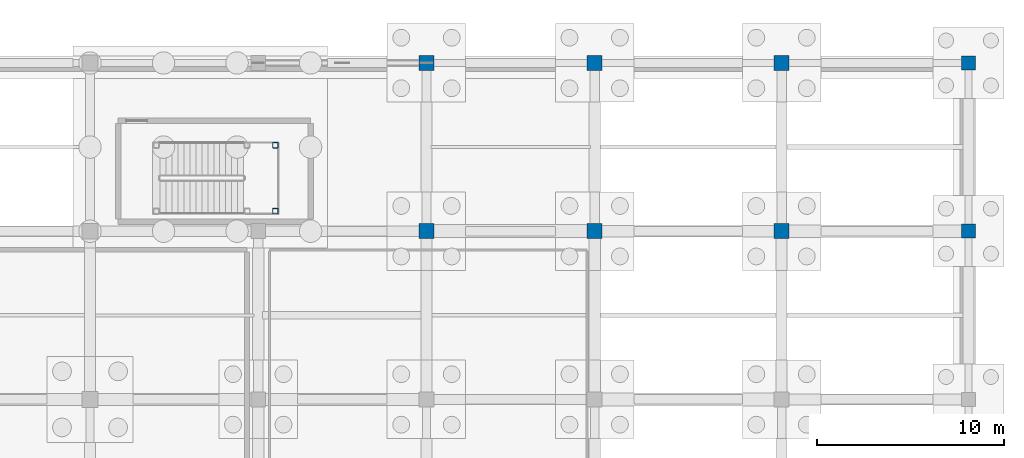
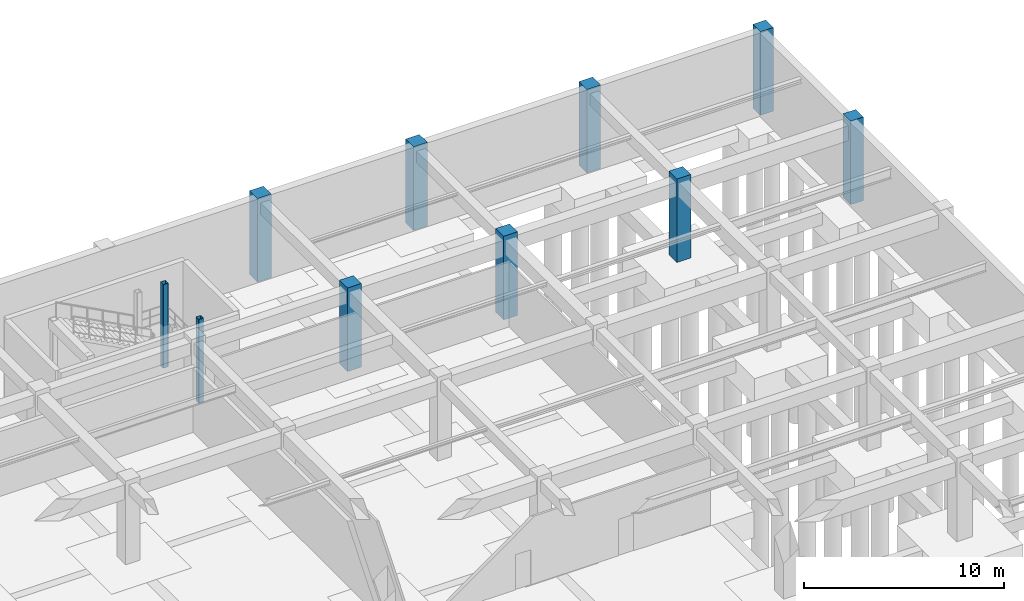
# One storey, part 27 of 62: 10 columns.
"""IFC4 building model written with IfcOpenShell, lengths in metres."""

from ifc_helpers import new_model, si_unit, direction, frame, origin, origin_2d, place, context, subcontext, project, spatial, rectangle, hollow_rectangle, extrude, material, material_profile, profile_set, type_object, element, save


model = new_model("IFC4")

# Units and contexts
model_context = context("Model", 3, precision=1e-05, world=origin(), true_north=direction((0.0, 1.0)))
body_context = subcontext(model_context, "Body", "Model", "MODEL_VIEW")
ifc_project = project(units=[si_unit("LENGTHUNIT", "METRE"), si_unit("AREAUNIT", "SQUARE_METRE"), si_unit("VOLUMEUNIT", "CUBIC_METRE"), si_unit("PLANEANGLEUNIT", "RADIAN"), si_unit("MASSUNIT", "GRAM", prefix="KILO")], contexts=[model_context])

# Site, building, storey
site_placement = place(None, origin())
site = spatial("IfcSite", under=ifc_project, at=site_placement, CompositionType="ELEMENT")
building_placement = place(site_placement, origin())
building = spatial("IfcBuilding", under=site, at=building_placement, Name="Miravela Opera House", CompositionType="ELEMENT")
storey_placement = place(building_placement, frame((0.0, 0.0, -5.10009765625)))
storey = spatial("IfcBuildingStorey", under=building, at=storey_placement, Name="B01", CompositionType="ELEMENT", Elevation=-5.10009765625)

# Columns
ifc_material_1 = material(Name="Hollow structural steel ASTM A500 Gr. C", Category="steel")
ifc_material_profile_1 = material_profile(ifc_material_1, hollow_rectangle(XDim=0.300048828125, YDim=0.300048828125, WallThickness=0.01611328125, InnerFilletRadius=0.01611328125, OuterFilletRadius=0.031982421875, at=origin_2d()), Name="HSS300X300X16")
ifc_profile_set_1 = profile_set([ifc_material_profile_1])
column_type_1 = type_object("IfcColumnType", Name="STR-COL-HSS300", PredefinedType="COLUMN", material=ifc_profile_set_1)
for number, where, z_axis, x_axis, name in (
    (1, (126.919921875, 104.080078125, 0.0), (0.0, 0.0, 1.0), (1.0, 0.0, 0.0), "Stair ST-09 Landing Support Column 5 (B01)"),
    (2, (126.919921875, 107.60009765625, 0.0), (0.0, 0.0, 1.0), (1.0, 0.0, 0.0), "Stair ST-09 Landing Support Column 6 (B01)"),
):
    element("IfcColumn", number, at=place(storey_placement, frame(where, z_axis=z_axis, x_axis=x_axis)), inside=storey, type_object=column_type_1, Name=name, PredefinedType="COLUMN", context=body_context, shape_type="SweptSolid", body=[
        extrude(hollow_rectangle(XDim=0.300048828125, YDim=0.300048828125, WallThickness=0.01611328125, InnerFilletRadius=0.01611328125, OuterFilletRadius=0.031982421875, at=origin_2d()), origin(), (0.0, 0.0, 1.0), 5.10009765625),
    ])
ifc_material_2 = material(Name="Concrete C35/45", Category="concrete")
ifc_material_profile_2 = material_profile(ifc_material_2, rectangle(XDim=0.75, YDim=0.75, at=origin_2d()), Name="RC-COL-750X750")
ifc_profile_set_2 = profile_set([ifc_material_profile_2])
column_type_2 = type_object("IfcColumnType", Name="STR-COL-RC750", PredefinedType="COLUMN", material=ifc_profile_set_2)
for number, where, z_axis, x_axis, name in (
    (3, (164.0, 103.0, 0.0), (0.0, 0.0, 1.0), (1.0, 0.0, 0.0), "Column C-19L (B01)"),
    (4, (164.0, 112.0, 0.0), (0.0, 0.0, 1.0), (1.0, 0.0, 0.0), "Column C-19M (B01)"),
):
    element("IfcColumn", number, at=place(storey_placement, frame(where, z_axis=z_axis, x_axis=x_axis)), inside=storey, type_object=column_type_2, Name=name, PredefinedType="COLUMN", context=body_context, shape_type="SweptSolid", body=[
        extrude(rectangle(XDim=0.75, YDim=0.75, at=origin_2d()), origin(), (0.0, 0.0, 1.0), 5.10009765625),
    ])
ifc_material_3 = material(Name="Concrete C40/50", Category="concrete")
ifc_material_profile_3 = material_profile(ifc_material_3, rectangle(XDim=0.800048828125, YDim=0.800048828125, at=origin_2d()), Name="RC-COL-800X800")
ifc_profile_set_3 = profile_set([ifc_material_profile_3])
column_type_3 = type_object("IfcColumnType", Name="STR-COL-RC800", PredefinedType="COLUMN", material=ifc_profile_set_3)
for number, where, z_axis, x_axis, name in (
    (5, (135.0, 103.0, 0.0), (0.0, 0.0, 1.0), (1.0, 0.0, 0.0), "Column C-16L (B01)"),
    (6, (135.0, 112.0, 0.0), (0.0, 0.0, 1.0), (1.0, 0.0, 0.0), "Column C-16M (B01)"),
    (7, (144.0, 103.0, 0.0), (0.0, 0.0, 1.0), (1.0, 0.0, 0.0), "Column C-17L (B01)"),
    (8, (144.0, 112.0, 0.0), (0.0, 0.0, 1.0), (1.0, 0.0, 0.0), "Column C-17M (B01)"),
    (9, (154.0, 103.0, 0.0), (0.0, 0.0, 1.0), (1.0, 0.0, 0.0), "Column C-18L (B01)"),
    (10, (154.0, 112.0, 0.0), (0.0, 0.0, 1.0), (1.0, 0.0, 0.0), "Column C-18M (B01)"),
):
    element("IfcColumn", number, at=place(storey_placement, frame(where, z_axis=z_axis, x_axis=x_axis)), inside=storey, type_object=column_type_3, Name=name, PredefinedType="COLUMN", context=body_context, shape_type="SweptSolid", body=[
        extrude(rectangle(XDim=0.800048828125, YDim=0.800048828125, at=origin_2d()), origin(), (0.0, 0.0, 1.0), 5.10009765625),
    ])

save(model, "model.ifc")
